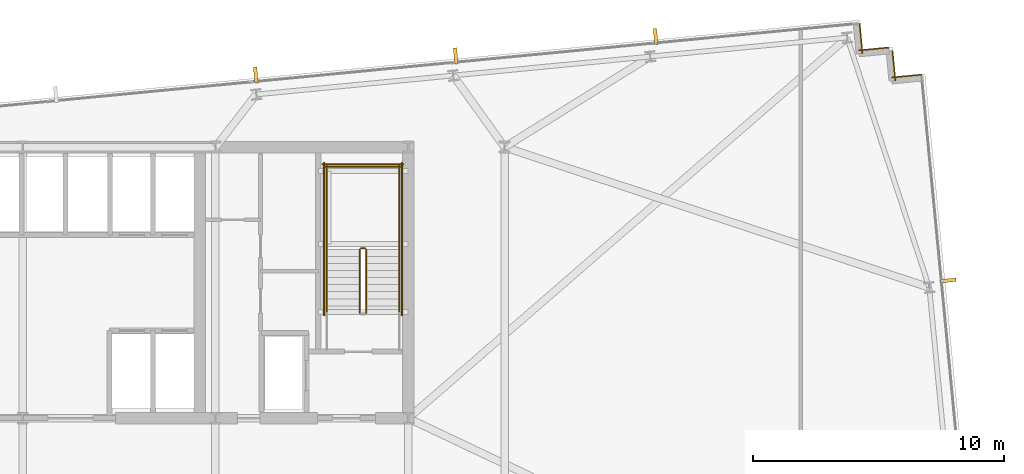
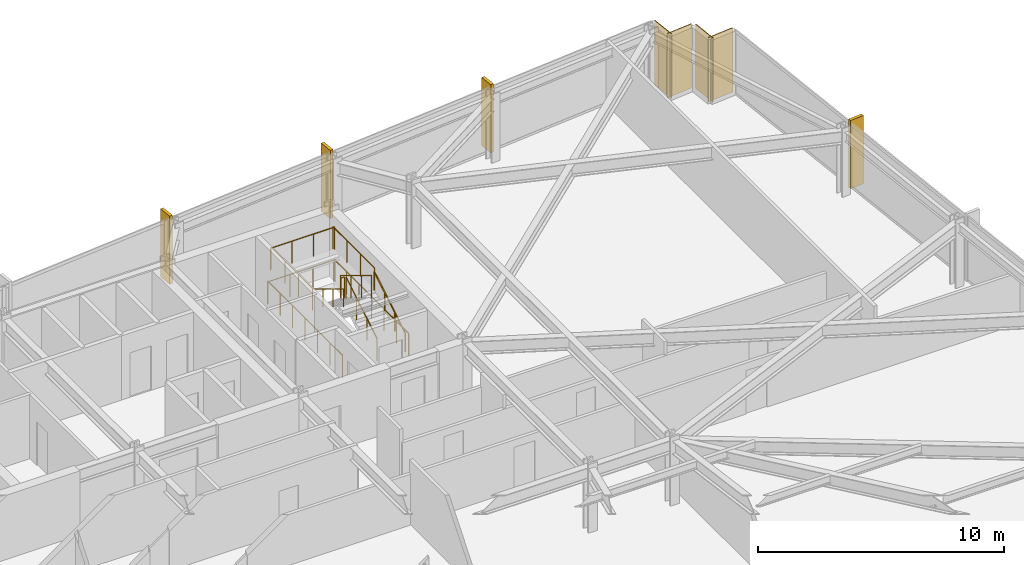
# One storey, part 32 of 32: 11 railings, 4 coverings, 4 shading devices.
"""IFC4 building model written with IfcOpenShell, lengths in metres."""

from ifc_helpers import new_model, si_unit, direction, frame, frame_2d, origin, origin_2d, place, context, subcontext, project, spatial, rectangle, circle, extrude, material, layer, layer_set, type_object, element, save


model = new_model("IFC4")

# Units and contexts
model_context = context("Model", 3, precision=1e-05, world=origin(), true_north=direction((0.0, 1.0)))
body_context = subcontext(model_context, "Body", "Model", "MODEL_VIEW")
ifc_project = project(units=[si_unit("LENGTHUNIT", "METRE"), si_unit("AREAUNIT", "SQUARE_METRE"), si_unit("VOLUMEUNIT", "CUBIC_METRE"), si_unit("PLANEANGLEUNIT", "RADIAN"), si_unit("MASSUNIT", "GRAM", prefix="KILO")], contexts=[model_context])

# Site, building, storey
site_placement = place(None, origin())
site = spatial("IfcSite", under=ifc_project, at=site_placement, CompositionType="ELEMENT")
building_placement = place(site_placement, origin())
building = spatial("IfcBuilding", under=site, at=building_placement, Name="Yelkora Congress Tower", CompositionType="ELEMENT")
storey_placement = place(building_placement, frame((0.0, 0.0, 120.300048828125)))
storey = spatial("IfcBuildingStorey", under=building, at=storey_placement, Name="L32", CompositionType="ELEMENT", Elevation=120.300048828125)

# Coverings
ifc_material_1 = material(Name="Anatolian bush-hammered limestone", Category="masonry")
ifc_layer_1 = layer(ifc_material_1, 0.0400390625)
ifc_layer_set_1 = layer_set([ifc_layer_1], Name="Anatolian bush-hammered limestone")
covering_type = type_object("IfcCoveringType", Name="COV-CLAD-SPANDREL-40", PredefinedType="CLADDING", material=ifc_layer_set_1)
for number, where, z_axis, x_axis, name in (
    (1, (71.74609375, 51.1279296875, 0.0), (0.0, 0.0, 1.0), (0.095817067274, -0.995398960025, 0.0), "L32 Anatolian Limestone Cladding EW-L32-SR11"),
    (2, (71.7138671875, 50.0546875, 0.0), (0.0, 0.0, 1.0), (0.995379537303, 0.096018626938, 0.0), "L32 Anatolian Limestone Cladding EW-L32-SR12"),
):
    element("IfcCovering", number, at=place(storey_placement, frame(where, z_axis=z_axis, x_axis=x_axis)), inside=storey, type_object=covering_type, Name=name, PredefinedType="CLADDING", context=body_context, shape_type="SweptSolid", body=[
        extrude(rectangle(XDim=1.2001953125, YDim=0.0400390625, at=frame_2d((0.60009765625, 0.0))), origin(), (0.0, 0.0, 1.0), 3.179931640625),
    ])
covering_1_placement = place(storey_placement, frame((73.0556640625, 50.04833984375, 0.0), z_axis=(0.0, 0.0, 1.0), x_axis=(0.095836473879, -0.995397091755, 0.0)))
element("IfcCovering", 3, at=covering_1_placement, inside=storey, type_object=covering_type, Name="L32 Anatolian Limestone Cladding EW-L32-SR13", PredefinedType="CLADDING", context=body_context, shape_type="SweptSolid", body=[
    extrude(rectangle(XDim=1.199951171875, YDim=0.0400390625, at=frame_2d((0.60009765625, 0.0))), origin(), (0.0, 0.0, 1.0), 3.179931640625),
])
covering_2_placement = place(storey_placement, frame((73.0234375, 48.975341796875, 0.0), z_axis=(0.0, 0.0, 1.0), x_axis=(0.995398960025, 0.095817067274, 0.0)))
element("IfcCovering", 4, at=covering_2_placement, inside=storey, type_object=covering_type, Name="L32 Anatolian Limestone Cladding EW-L32-SR14", PredefinedType="CLADDING", context=body_context, shape_type="SweptSolid", body=[
    extrude(rectangle(XDim=1.2001953125, YDim=0.0400390625, at=frame_2d((0.60009765625, 0.0))), origin(), (0.0, 0.0, 1.0), 3.179931640625),
])

# Railings
ifc_material_2 = material(Name="Painted galvanised steel stair well guard with vertical infill", Category="steel")
ifc_layer_2 = layer(ifc_material_2, 0.06005859375)
ifc_layer_set_2 = layer_set([ifc_layer_2], Name="Painted galvanised steel stair well guard with vertical infill")
railing_type_1 = type_object("IfcRailingType", Name="RAIL-STAIR-GUARD-1120", PredefinedType="GUARDRAIL", material=ifc_layer_set_2)
railing_1_placement = place(storey_placement, frame((52.090087890625, 39.60009765625, 0.169921875)))
element("IfcRailing", 5, at=railing_1_placement, inside=storey, type_object=railing_type_1, Name="ST-02 L32 Stair Well Guardrail 1", PredefinedType="GUARDRAIL", context=body_context, shape_type="SweptSolid", body=[
    extrude(circle(Radius=0.02392578125, at=origin_2d()), frame((0.0, 0.0, 1.09619140625), z_axis=(0.0, 0.85478489116, 0.518982456201), x_axis=(-1.0, 0.0, 0.0)), (0.0, 0.0, 1.0), 2.9482421875),
    extrude(circle(Radius=0.02099609375, at=origin_2d()), origin(), (0.0, 0.0, 1.0), 1.072021484375),
    extrude(circle(Radius=0.02099609375, at=origin_2d()), frame((0.0, 0.840087890625, 0.510009765625)), (0.0, 0.0, 1.0), 1.072021484375),
    extrude(circle(Radius=0.02099609375, at=origin_2d()), frame((0.0, 1.679931640625, 1.02001953125)), (0.0, 0.0, 1.0), 1.072021484375),
    extrude(circle(Radius=0.02099609375, at=origin_2d()), frame((0.0, 2.52001953125, 1.530029296875)), (0.0, 0.0, 1.0), 1.072021484375),
])
railing_2_placement = place(storey_placement, frame((52.0400390625, 42.169921875, 1.699951171875)))
element("IfcRailing", 6, at=railing_2_placement, inside=storey, type_object=railing_type_1, Name="ST-02 L32 Stair Well Guardrail 2", PredefinedType="GUARDRAIL", context=body_context, shape_type="SweptSolid", body=[
    extrude(circle(Radius=0.02392578125, at=origin_2d()), frame((0.0, 0.0, 1.09619140625), z_axis=(-1.0, 0.0, 0.0), x_axis=(0.0, -1.0, 0.0)), (0.0, 0.0, 1.0), 0.16015625),
    extrude(circle(Radius=0.02099609375, at=origin_2d()), origin(), (0.0, 0.0, 1.0), 1.072021484375),
    extrude(circle(Radius=0.02099609375, at=origin_2d()), frame((-0.16015625, 0.0, 0.0)), (0.0, 0.0, 1.0), 1.072021484375),
])
for number, where, name in (
    (7, (53.409912109375, 42.1201171875, 1.699951171875), "ST-02 L32 Stair Well Guardrail 3"),
    (8, (50.510009765625, 42.1201171875, 1.699951171875), "ST-02 L32 Stair Well Guardrail 4"),
):
    element("IfcRailing", number, at=place(storey_placement, frame(where)), inside=storey, type_object=railing_type_1, Name=name, PredefinedType="GUARDRAIL", context=body_context, shape_type="SweptSolid", body=[
        extrude(circle(Radius=0.02392578125, at=origin_2d()), frame((0.0, 0.0, 1.09619140625), z_axis=(0.0, 1.0, 0.0), x_axis=(-1.0, 0.0, 0.0)), (0.0, 0.0, 1.0), 3.349853515625),
        extrude(circle(Radius=0.02099609375, at=origin_2d()), origin(), (0.0, 0.0, 1.0), 1.072021484375),
        extrude(circle(Radius=0.02099609375, at=origin_2d()), frame((0.0, 1.11669921875, 0.0)), (0.0, 0.0, 1.0), 1.072021484375),
        extrude(circle(Radius=0.02099609375, at=origin_2d()), frame((0.0, 2.233154296875, 0.0)), (0.0, 0.0, 1.0), 1.072021484375),
        extrude(circle(Radius=0.02099609375, at=origin_2d()), frame((0.0, 3.349853515625, 0.0)), (0.0, 0.0, 1.0), 1.072021484375),
    ])
railing_3_placement = place(storey_placement, frame((53.4599609375, 45.419921875, 1.699951171875)))
element("IfcRailing", 9, at=railing_3_placement, inside=storey, type_object=railing_type_1, Name="ST-02 L32 Stair Well Guardrail 5", PredefinedType="GUARDRAIL", context=body_context, shape_type="SweptSolid", body=[
    extrude(circle(Radius=0.02392578125, at=origin_2d()), frame((0.0, 0.0, 1.09619140625), z_axis=(-1.0, 0.0, 0.0), x_axis=(0.0, -1.0, 0.0)), (0.0, 0.0, 1.0), 3.0),
    extrude(circle(Radius=0.02099609375, at=origin_2d()), origin(), (0.0, 0.0, 1.0), 1.072021484375),
    extrude(circle(Radius=0.02099609375, at=origin_2d()), frame((-1.0, 0.0, 0.0)), (0.0, 0.0, 1.0), 1.072021484375),
    extrude(circle(Radius=0.02099609375, at=origin_2d()), frame((-2.0, 0.0, 0.0)), (0.0, 0.0, 1.0), 1.072021484375),
    extrude(circle(Radius=0.02099609375, at=origin_2d()), frame((-3.0, 0.0, 0.0)), (0.0, 0.0, 1.0), 1.072021484375),
])
railing_4_placement = place(storey_placement, frame((51.830078125, 42.1201171875, 1.869873046875)))
element("IfcRailing", 10, at=railing_4_placement, inside=storey, type_object=railing_type_1, Name="ST-02 L32 Stair Well Guardrail 6", PredefinedType="GUARDRAIL", context=body_context, shape_type="SweptSolid", body=[
    extrude(circle(Radius=0.02392578125, at=origin_2d()), frame((0.0, 0.0, 1.09619140625), z_axis=(0.0, -0.85478489116, 0.518982456201), x_axis=(1.0, 0.0, 0.0)), (0.0, 0.0, 1.0), 2.9482421875),
    extrude(circle(Radius=0.02099609375, at=origin_2d()), origin(), (0.0, 0.0, 1.0), 1.072021484375),
    extrude(circle(Radius=0.02099609375, at=origin_2d()), frame((0.0, -0.840087890625, 0.510009765625)), (0.0, 0.0, 1.0), 1.072021484375),
    extrude(circle(Radius=0.02099609375, at=origin_2d()), frame((0.0, -1.679931640625, 1.02001953125)), (0.0, 0.0, 1.0), 1.072021484375),
    extrude(circle(Radius=0.02099609375, at=origin_2d()), frame((0.0, -2.52001953125, 1.530029296875)), (0.0, 0.0, 1.0), 1.072021484375),
])
for number, where, name in (
    (11, (53.510009765625, 39.5, 0.0), "ST-02 L32 Stair Well Guardrail 10"),
    (12, (50.409912109375, 39.5, 0.0), "ST-02 L32 Stair Well Guardrail 11"),
):
    element("IfcRailing", number, at=place(storey_placement, frame(where)), inside=storey, type_object=railing_type_1, Name=name, PredefinedType="GUARDRAIL", context=body_context, shape_type="SweptSolid", body=[
        extrude(circle(Radius=0.02392578125, at=origin_2d()), frame((0.0, 0.0, 1.09619140625), z_axis=(0.0, 1.0, 0.0), x_axis=(-1.0, 0.0, 0.0)), (0.0, 0.0, 1.0), 6.070068359375),
        extrude(circle(Radius=0.02099609375, at=origin_2d()), origin(), (0.0, 0.0, 1.0), 1.072021484375),
        extrude(circle(Radius=0.02099609375, at=origin_2d()), frame((0.0, 1.01171875, 0.0)), (0.0, 0.0, 1.0), 1.072021484375),
        extrude(circle(Radius=0.02099609375, at=origin_2d()), frame((0.0, 2.0234375, 0.0)), (0.0, 0.0, 1.0), 1.072021484375),
        extrude(circle(Radius=0.02099609375, at=origin_2d()), frame((0.0, 3.03515625, 0.0)), (0.0, 0.0, 1.0), 1.072021484375),
        extrude(circle(Radius=0.02099609375, at=origin_2d()), frame((0.0, 4.046630859375, 0.0)), (0.0, 0.0, 1.0), 1.072021484375),
        extrude(circle(Radius=0.02099609375, at=origin_2d()), frame((0.0, 5.058349609375, 0.0)), (0.0, 0.0, 1.0), 1.072021484375),
        extrude(circle(Radius=0.02099609375, at=origin_2d()), frame((0.0, 6.070068359375, 0.0)), (0.0, 0.0, 1.0), 1.072021484375),
    ])
railing_5_placement = place(storey_placement, frame((53.56005859375, 45.52001953125, 0.0)))
element("IfcRailing", 13, at=railing_5_placement, inside=storey, type_object=railing_type_1, Name="ST-02 L32 Stair Well Guardrail 12", PredefinedType="GUARDRAIL", context=body_context, shape_type="SweptSolid", body=[
    extrude(circle(Radius=0.02392578125, at=origin_2d()), frame((0.0, 0.0, 1.09619140625), z_axis=(-1.0, 0.0, 0.0), x_axis=(0.0, -1.0, 0.0)), (0.0, 0.0, 1.0), 3.199951171875),
    extrude(circle(Radius=0.02099609375, at=origin_2d()), origin(), (0.0, 0.0, 1.0), 1.072021484375),
    extrude(circle(Radius=0.02099609375, at=origin_2d()), frame((-1.066650390625, 0.0, 0.0)), (0.0, 0.0, 1.0), 1.072021484375),
    extrude(circle(Radius=0.02099609375, at=origin_2d()), frame((-2.13330078125, 0.0, 0.0)), (0.0, 0.0, 1.0), 1.072021484375),
    extrude(circle(Radius=0.02099609375, at=origin_2d()), frame((-3.199951171875, 0.0, 0.0)), (0.0, 0.0, 1.0), 1.072021484375),
])
ifc_material_3 = material(Name="Brushed stainless steel tubular handrail", Category="steel")
ifc_layer_3 = layer(ifc_material_3, 0.050048828125)
ifc_layer_set_3 = layer_set([ifc_layer_3], Name="Brushed stainless steel tubular handrail")
railing_type_2 = type_object("IfcRailingType", Name="RAIL-STAIR-HAND-920", PredefinedType="HANDRAIL", material=ifc_layer_set_3)
railing_6_placement = place(storey_placement, frame((53.409912109375, 39.60009765625, 0.169921875)))
element("IfcRailing", 14, at=railing_6_placement, inside=storey, type_object=railing_type_2, Name="ST-02 L32 Pitch Handrail 1", PredefinedType="HANDRAIL", context=body_context, shape_type="SweptSolid", body=[
    extrude(circle(Radius=0.02392578125, at=origin_2d()), frame((0.0, 0.0, 0.89599609375), z_axis=(0.0, 0.85478489116, 0.518982456201), x_axis=(-1.0, 0.0, 0.0)), (0.0, 0.0, 1.0), 2.9482421875),
    extrude(circle(Radius=0.02099609375, at=origin_2d()), origin(), (0.0, 0.0, 1.0), 0.871826171875),
    extrude(circle(Radius=0.02099609375, at=origin_2d()), frame((0.0, 0.840087890625, 0.510009765625)), (0.0, 0.0, 1.0), 0.871826171875),
    extrude(circle(Radius=0.02099609375, at=origin_2d()), frame((0.0, 1.679931640625, 1.02001953125)), (0.0, 0.0, 1.0), 0.871826171875),
    extrude(circle(Radius=0.02099609375, at=origin_2d()), frame((0.0, 2.52001953125, 1.530029296875)), (0.0, 0.0, 1.0), 0.871826171875),
])
railing_7_placement = place(storey_placement, frame((50.510009765625, 42.1201171875, 1.869873046875)))
element("IfcRailing", 15, at=railing_7_placement, inside=storey, type_object=railing_type_2, Name="ST-02 L32 Pitch Handrail 2", PredefinedType="HANDRAIL", context=body_context, shape_type="SweptSolid", body=[
    extrude(circle(Radius=0.02392578125, at=origin_2d()), frame((0.0, 0.0, 0.89599609375), z_axis=(0.0, -0.85478489116, 0.518982456201), x_axis=(1.0, 0.0, 0.0)), (0.0, 0.0, 1.0), 2.9482421875),
    extrude(circle(Radius=0.02099609375, at=origin_2d()), origin(), (0.0, 0.0, 1.0), 0.871826171875),
    extrude(circle(Radius=0.02099609375, at=origin_2d()), frame((0.0, -0.840087890625, 0.510009765625)), (0.0, 0.0, 1.0), 0.871826171875),
    extrude(circle(Radius=0.02099609375, at=origin_2d()), frame((0.0, -1.679931640625, 1.02001953125)), (0.0, 0.0, 1.0), 0.871826171875),
    extrude(circle(Radius=0.02099609375, at=origin_2d()), frame((0.0, -2.52001953125, 1.530029296875)), (0.0, 0.0, 1.0), 0.871826171875),
])

# Shading devices
ifc_material_4 = material(Name="Champagne anodised aluminium", Category="aluminium")
ifc_layer_4 = layer(ifc_material_4, 3.39990234375)
ifc_layer_set_4 = layer_set([ifc_layer_4], Name="Champagne anodised aluminium")
shading_device_type = type_object("IfcShadingDeviceType", Name="SHD-FIN-ALU-640", PredefinedType="USERDEFINED", material=ifc_layer_set_4)
for number, where, z_axis, x_axis, name in (
    (16, (47.68896484375, 49.072509765625, -0.030029296875), (0.0, 0.0, 1.0), (0.995396198367, 0.09584575252, 0.0), "L32 Vertical Anodised Solar Fin 10-4"),
    (17, (55.65478515625, 49.839599609375, -0.030029296875), (0.0, 0.0, 1.0), (0.995396198367, 0.09584575252, 0.0), "L32 Vertical Anodised Solar Fin 10-5"),
    (18, (63.620849609375, 50.606689453125, -0.030029296875), (0.0, 0.0, 1.0), (0.995396198367, 0.09584575252, 0.0), "L32 Vertical Anodised Solar Fin 10-6"),
    (19, (75.268798828125, 40.888427734375, -0.030029296875), (0.0, 0.0, 1.0), (0.09584575252, -0.995396198367, 0.0), "L32 Vertical Anodised Solar Fin 15-1"),
):
    element("IfcShadingDevice", number, at=place(storey_placement, frame(where, z_axis=z_axis, x_axis=x_axis)), inside=storey, type_object=shading_device_type, Name=name, ObjectType="FIN", PredefinedType="USERDEFINED", context=body_context, shape_type="SweptSolid", body=[
        extrude(rectangle(XDim=0.139892578125, YDim=0.639892578125, at=origin_2d()), origin(), (0.0, 0.0, 1.0), 3.3798828125),
    ])

save(model, "model.ifc")
